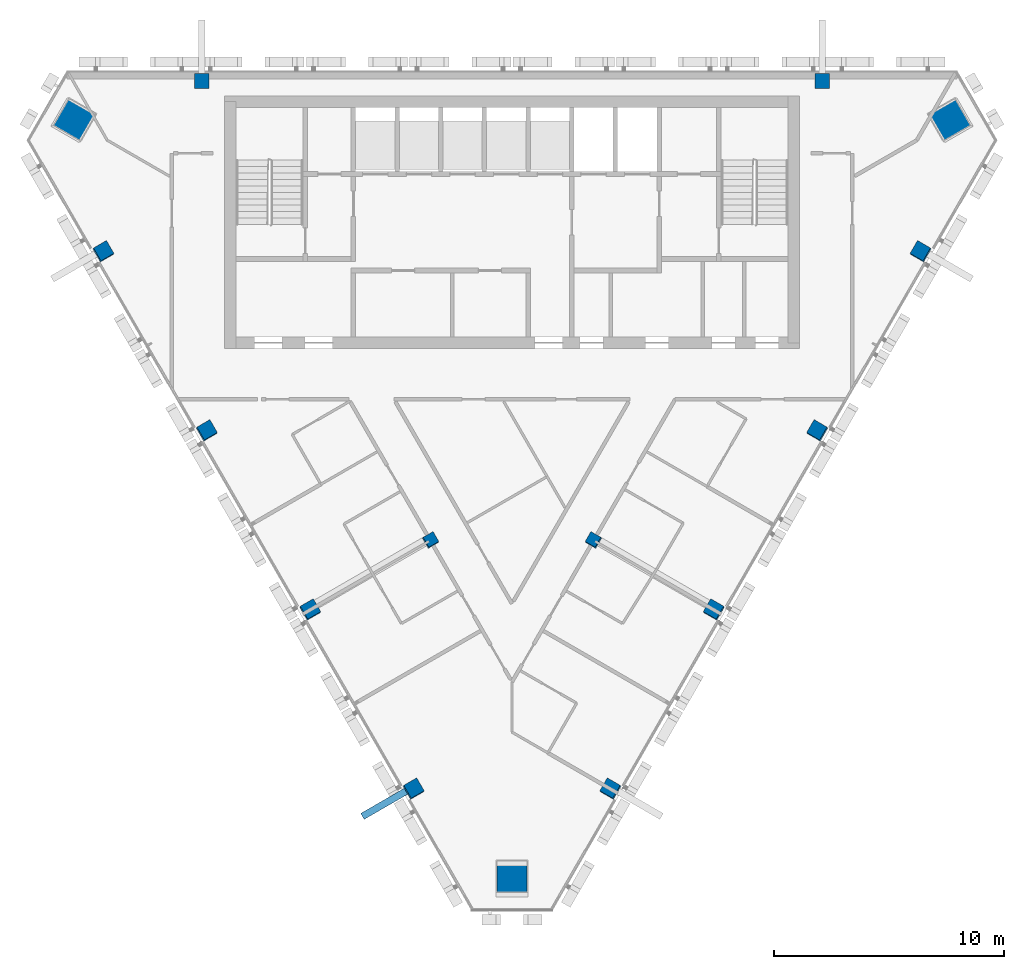
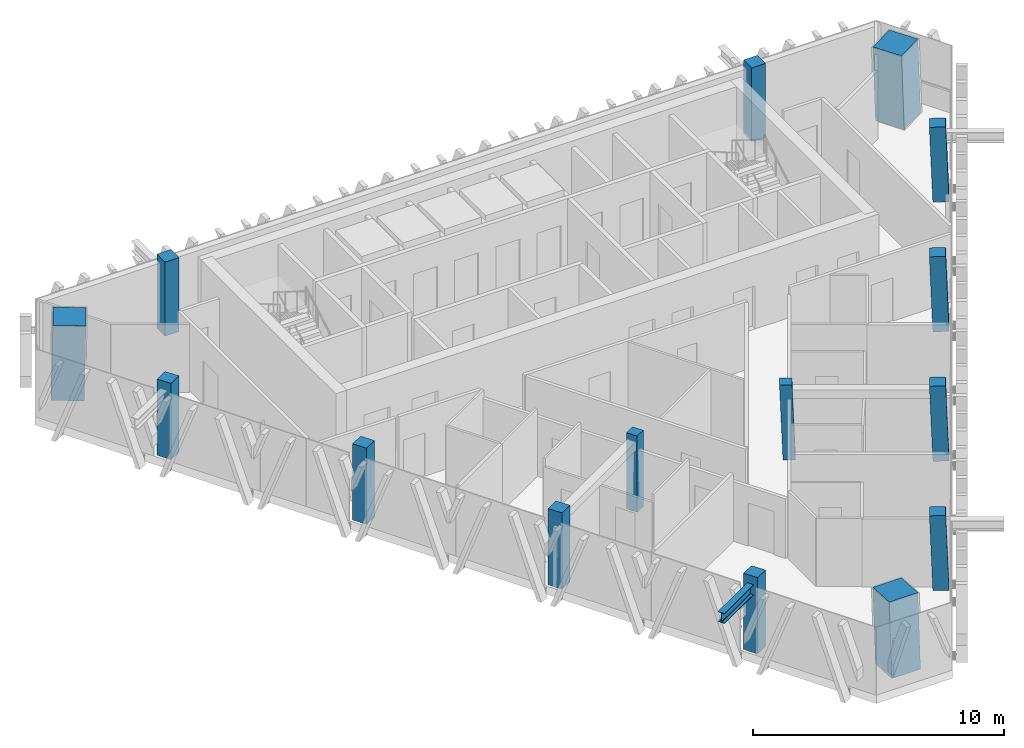
# One storey, part 1 of 12: 15 columns, 1 member.
"""IFC4 building model written with IfcOpenShell, lengths in metres."""

import ifcopenshell
import ifcopenshell.guid

model = None  # the IFC model being written
_history = None  # IfcOwnerHistory: only IFC2X3 demands one
_inside = {}  # id of a spatial element -> (the spatial element, [elements in it])
_under = {}  # id of a project, library or spatial element -> (it, [spatial elements below it])
_declared = {}  # id of a project -> (the project, [libraries it declares])
_typed = {}  # id of a type object -> (the type object, [elements of that type])
_made_of = {}  # id of a material, layer set ... -> (it, [elements and type objects made of it])


def new_model(schema):
    """Start an empty IFC model of exactly this schema.

    Asked for "IFC4X3", IfcOpenShell would pick the latest addendum, in which some entities
    have other attributes; the version numbers below select the first issue.
    IFC2X3 requires an IfcOwnerHistory on every rooted entity: one is made here for all.
    """
    global model, _history
    if schema == "IFC4X3":
        model = ifcopenshell.file(schema_version=(4, 3, 0, 0))
    else:
        model = ifcopenshell.file(schema=schema)
    _inside.clear()
    _under.clear()
    _declared.clear()
    _typed.clear()
    _made_of.clear()
    _history = None
    if model.schema == "IFC2X3":
        org = make("IfcOrganization", Name="unknown")
        user = make(
            "IfcPersonAndOrganization",
            ThePerson=make("IfcPerson", FamilyName="unknown"),
            TheOrganization=org,
        )
        app = make(
            "IfcApplication",
            ApplicationDeveloper=org,
            Version="unknown",
            ApplicationFullName="unknown",
            ApplicationIdentifier="unknown",
        )
        _history = make(
            "IfcOwnerHistory",
            OwningUser=user,
            OwningApplication=app,
            ChangeAction="ADDED",
            CreationDate=0,
        )
    return model


def make(cls, **values):
    """One entity of the class cls with the attributes given. An attribute that is None is left unset."""
    return model.create_entity(
        cls, **{name: value for name, value in values.items() if value is not None}
    )


def rooted(cls, **values):
    """An entity with a GlobalId (a new one), such as an element, a storey or a relation."""
    return make(cls, GlobalId=ifcopenshell.guid.new(), OwnerHistory=_history, **values)


def si_unit(unit_type, name, prefix=None):
    """IfcSIUnit, for example si_unit("LENGTHUNIT", "METRE", prefix="MILLI")."""
    return make("IfcSIUnit", UnitType=unit_type, Prefix=prefix, Name=name)


def assignment(units):
    """IfcUnitAssignment: the units of a project."""
    return None if units is None else make("IfcUnitAssignment", Units=units)


def point(xyz):
    """IfcCartesianPoint."""
    return None if xyz is None else make("IfcCartesianPoint", Coordinates=xyz)


def direction(xyz):
    """IfcDirection."""
    return None if xyz is None else make("IfcDirection", DirectionRatios=xyz)


def frame(location, z_axis=None, x_axis=None):
    """IfcAxis2Placement3D, a coordinate frame: its origin and axes. An axis left out is left unset."""
    return make(
        "IfcAxis2Placement3D",
        Location=point(location),
        Axis=direction(z_axis),
        RefDirection=direction(x_axis),
    )


def frame_2d(location, x_axis=None):
    """IfcAxis2Placement2D, a coordinate frame in the plane: its origin and x axis."""
    return make(
        "IfcAxis2Placement2D", Location=point(location), RefDirection=direction(x_axis)
    )


def origin():
    """The frame at (0, 0, 0) with its axes left unset."""
    return frame((0.0, 0.0, 0.0))


def origin_2d():
    """The frame at (0, 0) in the plane with its x axis left unset."""
    return frame_2d((0.0, 0.0))


def place(relative_to, where):
    """IfcLocalPlacement: puts the frame where relative to a parent placement (None: the world)."""
    return make(
        "IfcLocalPlacement", PlacementRelTo=relative_to, RelativePlacement=where
    )


def context(
    kind, dimensions, precision=None, world=None, true_north=None, identifier=None
):
    """IfcGeometricRepresentationContext, for example the 3D "Model" context."""
    return make(
        "IfcGeometricRepresentationContext",
        ContextIdentifier=identifier,
        ContextType=kind,
        CoordinateSpaceDimension=dimensions,
        Precision=precision,
        WorldCoordinateSystem=world,
        TrueNorth=true_north,
    )


def subcontext(parent, identifier, kind, view, scale=None):
    """IfcGeometricRepresentationSubContext, for example "Body" below "Model"."""
    return make(
        "IfcGeometricRepresentationSubContext",
        ContextIdentifier=identifier,
        ContextType=kind,
        ParentContext=parent,
        TargetScale=scale,
        TargetView=view,
    )


def project(units=None, contexts=None):
    """IfcProject with its units and contexts."""
    return rooted(
        "IfcProject",
        Name="project",
        RepresentationContexts=contexts,
        UnitsInContext=assignment(units),
    )


def spatial(cls, under=None, at=None, **own):
    """A site, building, storey or space (cls), placed at a placement, below another one or the project."""
    s = rooted(cls, ObjectPlacement=at, **own)
    if under is not None:
        _under.setdefault(under.id(), (under, []))[1].append(s)
    return s


def profile(cls, at=None, kind="AREA", **sizes):
    """A parametric profile (cls). Its sizes go by their IFC names, for example OverallWidth=200.0."""
    return make(cls, ProfileType=kind, Position=at, **sizes)


def rectangle(**sizes):
    """IfcRectangleProfileDef."""
    return profile("IfcRectangleProfileDef", **sizes)


def i_section(**sizes):
    """IfcIShapeProfileDef."""
    return profile("IfcIShapeProfileDef", **sizes)


def extrude(swept, where, along, depth):
    """IfcExtrudedAreaSolid: the profile swept, set in the frame where, extruded along a direction by depth."""
    return make(
        "IfcExtrudedAreaSolid",
        SweptArea=swept,
        Position=where,
        ExtrudedDirection=direction(along),
        Depth=depth,
    )


def shape(context_of_items, identifier, shape_type, items):
    """IfcShapeRepresentation: the items that make up one representation, for example the "Body"."""
    return make(
        "IfcShapeRepresentation",
        ContextOfItems=context_of_items,
        RepresentationIdentifier=identifier,
        RepresentationType=shape_type,
        Items=items,
    )


def material(Name=None, Category=None):
    """IfcMaterial."""
    return make("IfcMaterial", Name=Name, Category=Category)


def material_profile(
    of_material, cross_section, Name=None, Category=None, Priority=None
):
    """IfcMaterialProfile: a cross section and its material."""
    return make(
        "IfcMaterialProfile",
        Name=Name,
        Material=of_material,
        Profile=cross_section,
        Priority=Priority,
        Category=Category,
    )


def profile_set(profiles, Name=None, composite=None):
    """IfcMaterialProfileSet."""
    return make(
        "IfcMaterialProfileSet",
        Name=Name,
        MaterialProfiles=profiles,
        CompositeProfile=composite,
    )


def made_of(thing, what):
    """Note that an element or type object is made of a material, layer set ...; save() writes the relation."""
    if what is not None:
        _made_of.setdefault(what.id(), (what, []))[1].append(thing)
    return thing


def type_object(cls, material=None, **own):
    """A type object (cls), such as IfcWallType, which elements share."""
    return made_of(rooted(cls, **own), material)


def element(
    cls,
    number,
    at=None,
    inside=None,
    cuts=None,
    type_object=None,
    material=None,
    context=None,
    identifier="Body",
    shape_type=None,
    held_by="IfcProductDefinitionShape",
    body=None,
    shapes=None,
    **own,
):
    """One element of the class cls, such as IfcWall. Its Tag is "e" and its number.

    at: its placement. inside: the storey or other place that contains it. cuts: it is an
    opening in that element (IfcRelVoidsElement). A single representation is given by context,
    identifier, shape_type and body (its items); several are given by shapes. held_by: the class
    of the entity that holds the representations. save() writes the other relations.
    """
    e = rooted(cls, Tag="e%d" % number, ObjectPlacement=at, **own)
    if body is not None:
        shapes = [shape(context, identifier, shape_type, body)]
    if shapes is not None:
        e.Representation = make(held_by, Representations=shapes)
    if inside is not None:
        _inside.setdefault(inside.id(), (inside, []))[1].append(e)
    if cuts is not None:
        rooted(
            "IfcRelVoidsElement", RelatingBuildingElement=cuts, RelatedOpeningElement=e
        )
    if type_object is not None:
        _typed.setdefault(type_object.id(), (type_object, []))[1].append(e)
    return made_of(e, material)


def aggregate(whole, parts):
    """IfcRelAggregates: a whole, such as a stair, and the parts it consists of."""
    return rooted("IfcRelAggregates", RelatingObject=whole, RelatedObjects=parts)


def save(model, path):
    """Write the relations noted so far, then the file.

    IfcRelAggregates (storeys below a building ...), IfcRelContainedInSpatialStructure (elements
    in a storey), IfcRelDefinesByType, IfcRelAssociatesMaterial and IfcRelDeclares: one each for
    every whole, place, type object, material and project.
    """
    for whole, parts in _under.values():
        aggregate(whole, parts)
    for where, things in _inside.values():
        rooted(
            "IfcRelContainedInSpatialStructure",
            RelatedElements=things,
            RelatingStructure=where,
        )
    for kind, things in _typed.values():
        rooted("IfcRelDefinesByType", RelatedObjects=things, RelatingType=kind)
    for what, things in _made_of.values():
        rooted("IfcRelAssociatesMaterial", RelatedObjects=things, RelatingMaterial=what)
    for by, libraries in _declared.values():
        rooted("IfcRelDeclares", RelatingContext=by, RelatedDefinitions=libraries)
    model.write(path)


model = new_model("IFC4")

# Units and contexts
model_context = context("Model", 3, precision=1e-05, world=origin(), true_north=direction((0.0, 1.0)))
body_context = subcontext(model_context, "Body", "Model", "MODEL_VIEW")
ifc_project = project(units=[si_unit("LENGTHUNIT", "METRE"), si_unit("AREAUNIT", "SQUARE_METRE"), si_unit("VOLUMEUNIT", "CUBIC_METRE"), si_unit("PLANEANGLEUNIT", "RADIAN"), si_unit("MASSUNIT", "GRAM", prefix="KILO")], contexts=[model_context])

# Site, building, storey
site_placement = place(None, origin())
site = spatial("IfcSite", under=ifc_project, at=site_placement, CompositionType="ELEMENT")
building_placement = place(site_placement, origin())
building = spatial("IfcBuilding", under=site, at=building_placement, Name="Altiplano Prism Tower", CompositionType="ELEMENT")
storey_placement = place(building_placement, frame((0.0, 0.0, 331.0)))
storey = spatial("IfcBuildingStorey", under=building, at=storey_placement, Name="L86", CompositionType="ELEMENT", Elevation=331.0)

# Columns
ifc_material_1 = material(Name="Concrete C60/75", Category="concrete")
ifc_material_profile_1 = material_profile(ifc_material_1, rectangle(XDim=0.5, YDim=0.5, at=origin_2d()), Name="Inner column 500")
ifc_profile_set_1 = profile_set([ifc_material_profile_1], Name="Concrete C60/75")
column_type_1 = type_object("IfcColumnType", Name="Inner column 500", PredefinedType="COLUMN", material=ifc_profile_set_1)
for number, where, z_axis, x_axis, name in (
    (1, (81.447021484375, 84.5517578125, -0.01513671875), (0.02215369191, 0.038413282303, 0.999016333038), (-0.865365089999, -0.499668382927, 0.038402709721), "Inner column I13 L86"),
    (2, (88.552978515625, 84.5517578125, -0.01513671875), (-0.02215369191, 0.038413282303, 0.999016333038), (-0.500652049777, -0.86536462075, 0.022172014084), "Inner column I22 L86"),
):
    element("IfcColumn", number, at=place(storey_placement, frame(where, z_axis=z_axis, x_axis=x_axis)), inside=storey, type_object=column_type_1, Name=name, PredefinedType="COLUMN", context=body_context, shape_type="SweptSolid", body=[
        extrude(rectangle(XDim=0.5, YDim=0.5, at=origin_2d()), origin(), (0.0, 0.0, 1.0), 3.603759765625),
    ])
ifc_material_2 = material(Name="Concrete C70/85", Category="concrete")
ifc_material_profile_2 = material_profile(ifc_material_2, rectangle(XDim=1.320068359375, YDim=1.320068359375, at=origin_2d()), Name="Mega column infill 1400")
ifc_profile_set_2 = profile_set([ifc_material_profile_2], Name="Concrete C70/85")
column_type_2 = type_object("IfcColumnType", Name="Mega column infill 1400", PredefinedType="COLUMN", material=ifc_profile_set_2)
column_1_placement = place(storey_placement, frame((65.887451171875, 102.834228515625, 0.0), z_axis=(0.028334066552, 0.009286524205, 0.999555371723), x_axis=(-0.866557120793, 0.498679770739, 0.019930947233)))
element("IfcColumn", 3, at=column_1_placement, inside=storey, type_object=column_type_2, Name="Mega column M0 L86", PredefinedType="COLUMN", context=body_context, shape_type="SweptSolid", body=[
    extrude(rectangle(XDim=1.320068359375, YDim=1.320068359375, at=origin_2d()), origin(), (0.0, 0.0, 1.0), 3.601806640625),
])
column_2_placement = place(storey_placement, frame((85.0, 69.730224609375, 0.0), z_axis=(0.0, 0.058356907999, 0.998295783467), x_axis=(-1.0, 0.0, 0.0)))
element("IfcColumn", 4, at=column_2_placement, inside=storey, type_object=column_type_2, Name="Mega column M1 L86", PredefinedType="COLUMN", context=body_context, shape_type="SweptSolid", body=[
    extrude(rectangle(XDim=1.320068359375, YDim=1.320068359375, at=origin_2d()), origin(), (0.0, 0.0, 1.0), 3.606201171875),
])
column_3_placement = place(storey_placement, frame((104.112548828125, 102.834228515625, 0.0), z_axis=(-0.028334066552, 0.009286524205, 0.999555371723), x_axis=(0.498275449892, -0.866735113681, 0.022176986887)))
element("IfcColumn", 5, at=column_3_placement, inside=storey, type_object=column_type_2, Name="Mega column M2 L86", PredefinedType="COLUMN", context=body_context, shape_type="SweptSolid", body=[
    extrude(rectangle(XDim=1.320068359375, YDim=1.320068359375, at=origin_2d()), origin(), (0.0, 0.0, 1.0), 3.601806640625),
])
ifc_material_profile_3 = material_profile(ifc_material_1, rectangle(XDim=0.64990234375, YDim=0.64990234375, at=origin_2d()), Name="Perimeter column 650")
ifc_profile_set_3 = profile_set([ifc_material_profile_3], Name="Concrete C60/75")
column_type_3 = type_object("IfcColumnType", Name="Perimeter column 650", PredefinedType="COLUMN", material=ifc_profile_set_3)
for number, where, z_axis, x_axis, name in (
    (6, (98.5, 104.550048828125, 0.0), (0.0, 0.0, 1.0), (1.0, 0.0, 0.0), "Perimeter column P01 L86"),
    (7, (71.5, 104.550048828125, 0.0), (0.0, 0.0, 1.0), (1.0, 0.0, 0.0), "Perimeter column P04 L86"),
):
    element("IfcColumn", number, at=place(storey_placement, frame(where, z_axis=z_axis, x_axis=x_axis)), inside=storey, type_object=column_type_3, Name=name, PredefinedType="COLUMN", context=body_context, shape_type="SweptSolid", body=[
        extrude(rectangle(XDim=0.64990234375, YDim=0.64990234375, at=origin_2d()), origin(), (0.0, 0.0, 1.0), 3.60009765625),
    ])
for number, where, z_axis, x_axis, name in (
    (8, (67.20751953125, 97.114990234375, -0.019775390625), (0.022153634206, 0.038480930364, 0.999013730882), (-0.864983998609, -0.500323913707, 0.038453394177), "Perimeter column P11 L86"),
    (9, (71.70751953125, 89.32080078125, -0.019775390625), (0.022153634206, 0.038480930364, 0.999013730882), (-0.864983989859, -0.500323928804, 0.038453394564), "Perimeter column P12 L86"),
    (10, (76.20751953125, 81.526611328125, -0.019775390625), (0.02215369191, 0.038413282303, 0.999016333038), (-0.865365089999, -0.499668382927, 0.038402709721), "Perimeter column P13 L86"),
    (11, (80.70751953125, 73.732421875, -0.019775390625), (0.02215369191, 0.038413282303, 0.999016333038), (-0.865365081261, -0.49966839803, 0.038402710108), "Perimeter column P14 L86"),
    (12, (89.29248046875, 73.732421875, -0.019775390625), (-0.02215369191, 0.038413282303, 0.999016333038), (-0.50065206488, -0.865364612029, 0.022172013414), "Perimeter column P21 L86"),
    (13, (93.79248046875, 81.526611328125, -0.019775390625), (-0.02215369191, 0.038413282303, 0.999016333038), (-0.500652049777, -0.86536462075, 0.022172014084), "Perimeter column P22 L86"),
    (14, (98.29248046875, 89.32080078125, -0.019775390625), (-0.022153634206, 0.038480930364, 0.999013730882), (-0.501310197162, -0.864982765299, 0.022201395376), "Perimeter column P23 L86"),
    (15, (102.79248046875, 97.114990234375, -0.019775390625), (-0.022153634206, 0.038480930364, 0.999013730882), (-0.501310182066, -0.864982774031, 0.022201396047), "Perimeter column P24 L86"),
):
    element("IfcColumn", number, at=place(storey_placement, frame(where, z_axis=z_axis, x_axis=x_axis)), inside=storey, type_object=column_type_3, Name=name, PredefinedType="COLUMN", context=body_context, shape_type="SweptSolid", body=[
        extrude(rectangle(XDim=0.64990234375, YDim=0.64990234375, at=origin_2d()), origin(), (0.0, 0.0, 1.0), 3.603759765625),
    ])

# Member
ifc_material_3 = material(Name="Steel S355", Category="steel")
ifc_material_profile_4 = material_profile(ifc_material_3, i_section(OverallWidth=0.300048828125, OverallDepth=0.5, WebThickness=0.014404296875, FlangeThickness=0.028076171875, FilletRadius=0.027099609375, at=origin_2d()), Name="Brace bracket HEB 500")
ifc_profile_set_4 = profile_set([ifc_material_profile_4], Name="Steel S355")
member_type = type_object("IfcMemberType", Name="Brace bracket HEB 500", PredefinedType="STRUT", material=ifc_profile_set_4)
member_placement = place(storey_placement, frame((80.787841796875, 73.87158203125, 2.949951171875), z_axis=(-0.866029095148, -0.499993606316, 0.0), x_axis=(0.499993606316, -0.866029095148, 0.0)))
element("IfcMember", 16, at=member_placement, inside=storey, type_object=member_type, Name="Brace bracket 1.334.6", PredefinedType="STRUT", context=body_context, shape_type="SweptSolid", body=[
    extrude(i_section(OverallWidth=0.300048828125, OverallDepth=0.5, WebThickness=0.014404296875, FlangeThickness=0.028076171875, FilletRadius=0.027099609375, at=origin_2d()), origin(), (0.0, 0.0, 1.0), 2.64990234375),
])

save(model, "model.ifc")
